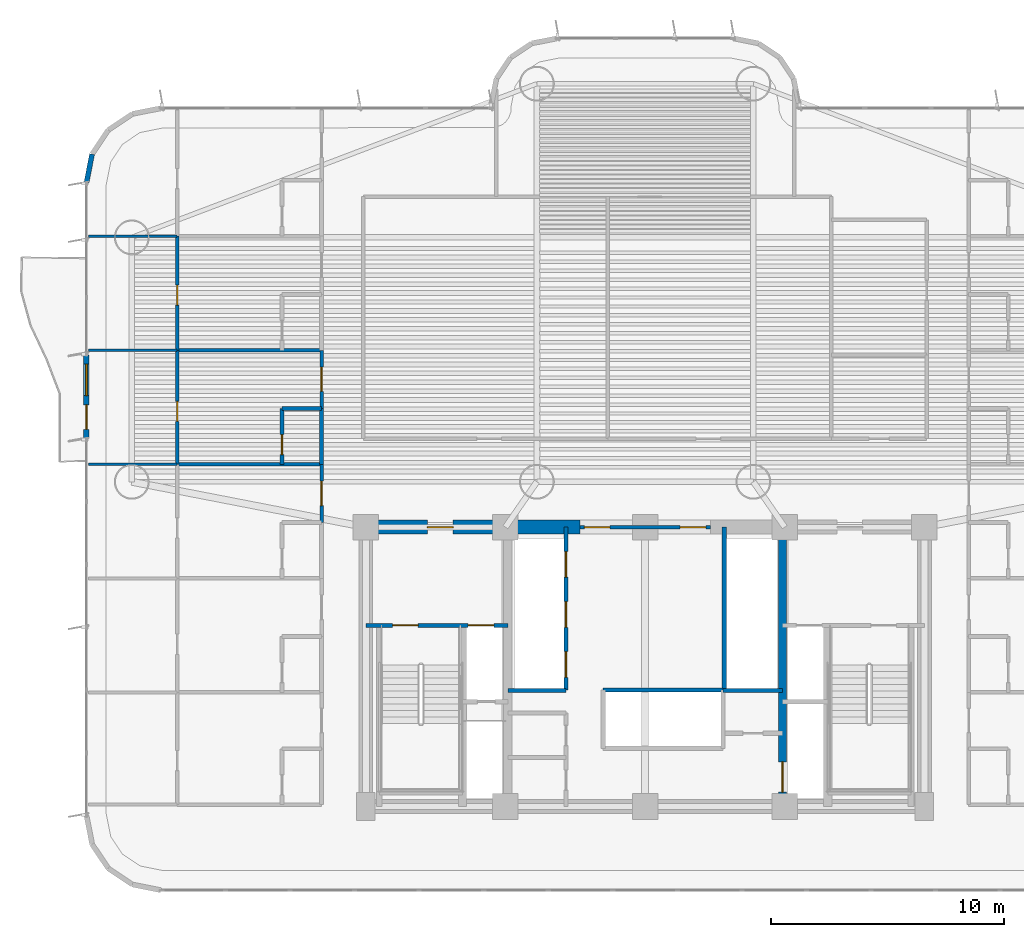
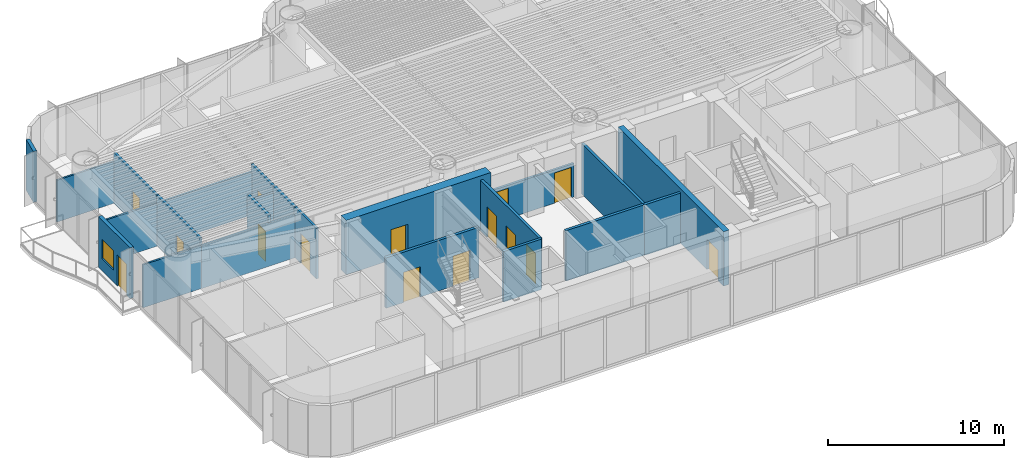
# One storey, part 11 of 19: 23 walls, 15 doors, 1 window, 16 openings.
"""IFC4 building model written with IfcOpenShell, lengths in metres."""

import ifcopenshell
import ifcopenshell.guid

model = None  # the IFC model being written
_history = None  # IfcOwnerHistory: only IFC2X3 demands one
_inside = {}  # id of a spatial element -> (the spatial element, [elements in it])
_under = {}  # id of a project, library or spatial element -> (it, [spatial elements below it])
_declared = {}  # id of a project -> (the project, [libraries it declares])
_typed = {}  # id of a type object -> (the type object, [elements of that type])
_made_of = {}  # id of a material, layer set ... -> (it, [elements and type objects made of it])


def new_model(schema):
    """Start an empty IFC model of exactly this schema.

    Asked for "IFC4X3", IfcOpenShell would pick the latest addendum, in which some entities
    have other attributes; the version numbers below select the first issue.
    IFC2X3 requires an IfcOwnerHistory on every rooted entity: one is made here for all.
    """
    global model, _history
    if schema == "IFC4X3":
        model = ifcopenshell.file(schema_version=(4, 3, 0, 0))
    else:
        model = ifcopenshell.file(schema=schema)
    _inside.clear()
    _under.clear()
    _declared.clear()
    _typed.clear()
    _made_of.clear()
    _history = None
    if model.schema == "IFC2X3":
        org = make("IfcOrganization", Name="unknown")
        user = make(
            "IfcPersonAndOrganization",
            ThePerson=make("IfcPerson", FamilyName="unknown"),
            TheOrganization=org,
        )
        app = make(
            "IfcApplication",
            ApplicationDeveloper=org,
            Version="unknown",
            ApplicationFullName="unknown",
            ApplicationIdentifier="unknown",
        )
        _history = make(
            "IfcOwnerHistory",
            OwningUser=user,
            OwningApplication=app,
            ChangeAction="ADDED",
            CreationDate=0,
        )
    return model


def make(cls, **values):
    """One entity of the class cls with the attributes given. An attribute that is None is left unset."""
    return model.create_entity(
        cls, **{name: value for name, value in values.items() if value is not None}
    )


def rooted(cls, **values):
    """An entity with a GlobalId (a new one), such as an element, a storey or a relation."""
    return make(cls, GlobalId=ifcopenshell.guid.new(), OwnerHistory=_history, **values)


def si_unit(unit_type, name, prefix=None):
    """IfcSIUnit, for example si_unit("LENGTHUNIT", "METRE", prefix="MILLI")."""
    return make("IfcSIUnit", UnitType=unit_type, Prefix=prefix, Name=name)


def assignment(units):
    """IfcUnitAssignment: the units of a project."""
    return None if units is None else make("IfcUnitAssignment", Units=units)


def point(xyz):
    """IfcCartesianPoint."""
    return None if xyz is None else make("IfcCartesianPoint", Coordinates=xyz)


def direction(xyz):
    """IfcDirection."""
    return None if xyz is None else make("IfcDirection", DirectionRatios=xyz)


def frame(location, z_axis=None, x_axis=None):
    """IfcAxis2Placement3D, a coordinate frame: its origin and axes. An axis left out is left unset."""
    return make(
        "IfcAxis2Placement3D",
        Location=point(location),
        Axis=direction(z_axis),
        RefDirection=direction(x_axis),
    )


def frame_2d(location, x_axis=None):
    """IfcAxis2Placement2D, a coordinate frame in the plane: its origin and x axis."""
    return make(
        "IfcAxis2Placement2D", Location=point(location), RefDirection=direction(x_axis)
    )


def origin():
    """The frame at (0, 0, 0) with its axes left unset."""
    return frame((0.0, 0.0, 0.0))


def origin_2d():
    """The frame at (0, 0) in the plane with its x axis left unset."""
    return frame_2d((0.0, 0.0))


def place(relative_to, where):
    """IfcLocalPlacement: puts the frame where relative to a parent placement (None: the world)."""
    return make(
        "IfcLocalPlacement", PlacementRelTo=relative_to, RelativePlacement=where
    )


def context(
    kind, dimensions, precision=None, world=None, true_north=None, identifier=None
):
    """IfcGeometricRepresentationContext, for example the 3D "Model" context."""
    return make(
        "IfcGeometricRepresentationContext",
        ContextIdentifier=identifier,
        ContextType=kind,
        CoordinateSpaceDimension=dimensions,
        Precision=precision,
        WorldCoordinateSystem=world,
        TrueNorth=true_north,
    )


def subcontext(parent, identifier, kind, view, scale=None):
    """IfcGeometricRepresentationSubContext, for example "Body" below "Model"."""
    return make(
        "IfcGeometricRepresentationSubContext",
        ContextIdentifier=identifier,
        ContextType=kind,
        ParentContext=parent,
        TargetScale=scale,
        TargetView=view,
    )


def project(units=None, contexts=None):
    """IfcProject with its units and contexts."""
    return rooted(
        "IfcProject",
        Name="project",
        RepresentationContexts=contexts,
        UnitsInContext=assignment(units),
    )


def spatial(cls, under=None, at=None, **own):
    """A site, building, storey or space (cls), placed at a placement, below another one or the project."""
    s = rooted(cls, ObjectPlacement=at, **own)
    if under is not None:
        _under.setdefault(under.id(), (under, []))[1].append(s)
    return s


def profile(cls, at=None, kind="AREA", **sizes):
    """A parametric profile (cls). Its sizes go by their IFC names, for example OverallWidth=200.0."""
    return make(cls, ProfileType=kind, Position=at, **sizes)


def rectangle(**sizes):
    """IfcRectangleProfileDef."""
    return profile("IfcRectangleProfileDef", **sizes)


def extrude(swept, where, along, depth):
    """IfcExtrudedAreaSolid: the profile swept, set in the frame where, extruded along a direction by depth."""
    return make(
        "IfcExtrudedAreaSolid",
        SweptArea=swept,
        Position=where,
        ExtrudedDirection=direction(along),
        Depth=depth,
    )


def shape(context_of_items, identifier, shape_type, items):
    """IfcShapeRepresentation: the items that make up one representation, for example the "Body"."""
    return make(
        "IfcShapeRepresentation",
        ContextOfItems=context_of_items,
        RepresentationIdentifier=identifier,
        RepresentationType=shape_type,
        Items=items,
    )


def source(mapping_origin, context_of_items, identifier, shape_type, items):
    """IfcRepresentationMap: a shape defined once, which mapped items show again and again."""
    return make(
        "IfcRepresentationMap",
        MappingOrigin=mapping_origin,
        MappedRepresentation=shape(context_of_items, identifier, shape_type, items),
    )


def transform(
    local_origin,
    x_axis=None,
    y_axis=None,
    z_axis=None,
    scale=None,
    scale2=None,
    scale3=None,
    uniform=True,
):
    """IfcCartesianTransformationOperator3D, or its non-uniform kind. x_axis, y_axis, z_axis: its Axis1, 2, 3."""
    if uniform:
        return make(
            "IfcCartesianTransformationOperator3D",
            Axis1=direction(x_axis),
            Axis2=direction(y_axis),
            LocalOrigin=point(local_origin),
            Scale=scale,
            Axis3=direction(z_axis),
        )
    return make(
        "IfcCartesianTransformationOperator3DnonUniform",
        Axis1=direction(x_axis),
        Axis2=direction(y_axis),
        LocalOrigin=point(local_origin),
        Scale=scale,
        Axis3=direction(z_axis),
        Scale2=scale2,
        Scale3=scale3,
    )


def mapped(mapping_source, mapping_target):
    """IfcMappedItem: shows the shape of a source again, moved by a transform."""
    return make(
        "IfcMappedItem", MappingSource=mapping_source, MappingTarget=mapping_target
    )


def material(Name=None, Category=None):
    """IfcMaterial."""
    return make("IfcMaterial", Name=Name, Category=Category)


def layer(
    of_material, thickness, ventilated=None, Name=None, Category=None, Priority=None
):
    """IfcMaterialLayer: one layer of a wall or slab, of a material (None: an air gap)."""
    return make(
        "IfcMaterialLayer",
        Material=of_material,
        LayerThickness=thickness,
        IsVentilated=ventilated,
        Name=Name,
        Category=Category,
        Priority=Priority,
    )


def layer_set(layers, Name=None):
    """IfcMaterialLayerSet."""
    return make("IfcMaterialLayerSet", MaterialLayers=layers, LayerSetName=Name)


def made_of(thing, what):
    """Note that an element or type object is made of a material, layer set ...; save() writes the relation."""
    if what is not None:
        _made_of.setdefault(what.id(), (what, []))[1].append(thing)
    return thing


def type_object(cls, material=None, **own):
    """A type object (cls), such as IfcWallType, which elements share."""
    return made_of(rooted(cls, **own), material)


def element(
    cls,
    number,
    at=None,
    inside=None,
    cuts=None,
    type_object=None,
    material=None,
    context=None,
    identifier="Body",
    shape_type=None,
    held_by="IfcProductDefinitionShape",
    body=None,
    shapes=None,
    **own,
):
    """One element of the class cls, such as IfcWall. Its Tag is "e" and its number.

    at: its placement. inside: the storey or other place that contains it. cuts: it is an
    opening in that element (IfcRelVoidsElement). A single representation is given by context,
    identifier, shape_type and body (its items); several are given by shapes. held_by: the class
    of the entity that holds the representations. save() writes the other relations.
    """
    e = rooted(cls, Tag="e%d" % number, ObjectPlacement=at, **own)
    if body is not None:
        shapes = [shape(context, identifier, shape_type, body)]
    if shapes is not None:
        e.Representation = make(held_by, Representations=shapes)
    if inside is not None:
        _inside.setdefault(inside.id(), (inside, []))[1].append(e)
    if cuts is not None:
        rooted(
            "IfcRelVoidsElement", RelatingBuildingElement=cuts, RelatedOpeningElement=e
        )
    if type_object is not None:
        _typed.setdefault(type_object.id(), (type_object, []))[1].append(e)
    return made_of(e, material)


def fill(opening, filler):
    """IfcRelFillsElement: the door or window that sits in an opening."""
    return rooted(
        "IfcRelFillsElement",
        RelatingOpeningElement=opening,
        RelatedBuildingElement=filler,
    )


def aggregate(whole, parts):
    """IfcRelAggregates: a whole, such as a stair, and the parts it consists of."""
    return rooted("IfcRelAggregates", RelatingObject=whole, RelatedObjects=parts)


def save(model, path):
    """Write the relations noted so far, then the file.

    IfcRelAggregates (storeys below a building ...), IfcRelContainedInSpatialStructure (elements
    in a storey), IfcRelDefinesByType, IfcRelAssociatesMaterial and IfcRelDeclares: one each for
    every whole, place, type object, material and project.
    """
    for whole, parts in _under.values():
        aggregate(whole, parts)
    for where, things in _inside.values():
        rooted(
            "IfcRelContainedInSpatialStructure",
            RelatedElements=things,
            RelatingStructure=where,
        )
    for kind, things in _typed.values():
        rooted("IfcRelDefinesByType", RelatedObjects=things, RelatingType=kind)
    for what, things in _made_of.values():
        rooted("IfcRelAssociatesMaterial", RelatedObjects=things, RelatingMaterial=what)
    for by, libraries in _declared.values():
        rooted("IfcRelDeclares", RelatingContext=by, RelatedDefinitions=libraries)
    model.write(path)


model = new_model("IFC4")

# Units and contexts
model_context = context("Model", 3, precision=1e-05, world=origin(), true_north=direction((0.0, 1.0)))
body_context = subcontext(model_context, "Body", "Model", "MODEL_VIEW")
ifc_project = project(units=[si_unit("LENGTHUNIT", "METRE"), si_unit("AREAUNIT", "SQUARE_METRE"), si_unit("VOLUMEUNIT", "CUBIC_METRE"), si_unit("PLANEANGLEUNIT", "RADIAN"), si_unit("MASSUNIT", "GRAM", prefix="KILO")], contexts=[model_context])

# Site, building, storey
site_placement = place(None, origin())
site = spatial("IfcSite", under=ifc_project, at=site_placement, CompositionType="ELEMENT")
building_placement = place(site_placement, origin())
building = spatial("IfcBuilding", under=site, at=building_placement, Name="Brelvock Crest Care Tower", CompositionType="ELEMENT")
storey_placement = place(building_placement, frame((0.0, 0.0, 64.800048828125)))
storey = spatial("IfcBuildingStorey", under=building, at=storey_placement, Name="L16", CompositionType="ELEMENT", Elevation=64.800048828125)

# Wall, opening, door
ifc_material_1 = material(Name="Concrete S80 (80 MPa)", Category="concrete")
ifc_layer_1 = layer(ifc_material_1, 0.60009765625, Name="WL-CS1")
ifc_layer_set_1 = layer_set([ifc_layer_1], Name="Concrete S80 (80 MPa)")
wall_type_1 = type_object("IfcWallType", Name="WL-CS1", PredefinedType="SHEAR", material=ifc_layer_set_1)
wall_1_placement = place(storey_placement, frame((23.699951171875, 18.0, 0.0), z_axis=(0.0, 0.0, 1.0), x_axis=(1.0, 0.0, 0.0)))
wall_1 = element("IfcWall", 1, at=wall_1_placement, inside=storey, type_object=wall_type_1, Name="L16 Core North-West Shear Wall", PredefinedType="SHEAR", context=body_context, shape_type="SweptSolid", body=[
    extrude(rectangle(XDim=9.5, YDim=0.60009765625, at=frame_2d((4.75, 0.0))), origin(), (0.0, 0.0, 1.0), 3.780029296875),
])
opening_1_placement = place(wall_1_placement, frame((2.949951171875, 0.0, 0.0)))
opening_1 = element("IfcOpeningElement", 2, at=opening_1_placement, cuts=wall_1, Name="Opening FD-1", PredefinedType="OPENING", context=body_context, shape_type="SweptSolid", body=[
    extrude(rectangle(XDim=1.10009765625, YDim=2.10009765625, at=origin_2d()), frame((0.550048828125, 0.31005859375, 1.050048828125), z_axis=(0.0, -1.0, 0.0), x_axis=(1.0, 0.0, 0.0)), (0.0, 0.0, 1.0), 0.6201171875),
])
ifc_material_2 = material(Name="Steel Grade 350", Category="steel")
door_type_1 = type_object("IfcDoorType", Name="DR-FFL1", OperationType="NOTDEFINED", PredefinedType="DOOR", material=ifc_material_2)
shared_shape_1 = source(origin(), body_context, "Body", "SweptSolid", [
    extrude(rectangle(XDim=1.10009765625, YDim=2.10009765625, at=origin_2d()), frame((0.550048828125, 0.02490234375, 1.050048828125), z_axis=(0.0, -1.0, 0.0), x_axis=(1.0, 0.0, 0.0)), (0.0, 0.0, 1.0), 0.050048828125),
])
door_1_placement = place(opening_1_placement, origin())
door_1 = element("IfcDoor", 3, at=door_1_placement, inside=storey, type_object=door_type_1, Name="L16 Firefighting Lobby FFL-1 Exit Door", OperationType="SINGLE_SWING_LEFT", OverallHeight=2.10009765625, OverallWidth=1.10009765625, PredefinedType="DOOR", context=body_context, shape_type="MappedRepresentation", body=[
    mapped(shared_shape_1, transform((0.0, 0.0, 0.0), x_axis=(1.0, 0.0, 0.0), y_axis=(0.0, 1.0, 0.0), z_axis=(0.0, 0.0, 1.0), scale=1.0)),
])
fill(opening_1, door_1)

ifc_layer_2 = layer(ifc_material_1, 0.35009765625, Name="WL-CS5")
ifc_layer_set_2 = layer_set([ifc_layer_2], Name="Concrete S80 (80 MPa)")
wall_type_2 = type_object("IfcWallType", Name="WL-CS5", PredefinedType="SHEAR", material=ifc_layer_set_2)
wall_2_placement = place(storey_placement, frame((41.89990234375, 18.0, 0.0), z_axis=(0.0, 0.0, 1.0), x_axis=(0.0, -1.0, 0.0)))
wall_2 = element("IfcWall", 4, at=wall_2_placement, inside=storey, type_object=wall_type_2, Name="L16 Core Internal Web Wall East", PredefinedType="SHEAR", context=body_context, shape_type="SweptSolid", body=[
    extrude(rectangle(XDim=12.0, YDim=0.35009765625, at=frame_2d((6.0, 0.0))), origin(), (0.0, 0.0, 1.0), 3.780029296875),
])
opening_2_placement = place(wall_2_placement, frame((10.080078125, 0.0, 0.0)))
opening_2 = element("IfcOpeningElement", 5, at=opening_2_placement, cuts=wall_2, Name="Opening LD-S", PredefinedType="OPENING", context=body_context, shape_type="SweptSolid", body=[
    extrude(rectangle(XDim=1.300048828125, YDim=2.10009765625, at=origin_2d()), frame((0.64990234375, 0.18505859375, 1.050048828125), z_axis=(0.0, -1.0, 0.0), x_axis=(1.0, 0.0, 0.0)), (0.0, 0.0, 1.0), 0.3701171875),
])
door_type_2 = type_object("IfcDoorType", Name="DR-LDS1", OperationType="NOTDEFINED", PredefinedType="DOOR", material=ifc_material_2)
shared_shape_2 = source(origin(), body_context, "Body", "SweptSolid", [
    extrude(rectangle(XDim=1.300048828125, YDim=2.10009765625, at=origin_2d()), frame((0.64990234375, 0.02490234375, 1.050048828125), z_axis=(0.0, -1.0, 0.0), x_axis=(1.0, 0.0, 0.0)), (0.0, 0.0, 1.0), 0.050048828125),
])
door_2_placement = place(opening_2_placement, origin())
door_2 = element("IfcDoor", 6, at=door_2_placement, inside=storey, type_object=door_type_2, Name="L16 Clinical Bed Lift SL-1 Landing Door", OperationType="SLIDING_TO_LEFT", OverallHeight=2.10009765625, OverallWidth=1.300048828125, PredefinedType="DOOR", context=body_context, shape_type="MappedRepresentation", body=[
    mapped(shared_shape_2, transform((0.0, 0.0, 0.0), x_axis=(1.0, 0.0, 0.0), y_axis=(0.0, 1.0, 0.0), z_axis=(0.0, 0.0, 1.0), scale=1.0)),
])
fill(opening_2, door_2)

# Wall, openings, door, window
ifc_material_3 = material(Name="Precast concrete N40 (40 MPa)", Category="concrete")
ifc_layer_3 = layer(ifc_material_3, 0.239990234375, Name="WL-EX1")
ifc_layer_set_3 = layer_set([ifc_layer_3], Name="Precast concrete N40 (40 MPa)")
wall_type_3 = type_object("IfcWallType", Name="WL-EX1", PredefinedType="SOLIDWALL", material=ifc_layer_set_3)
wall_3_placement = place(storey_placement, frame((12.0, 21.800048828125, 0.0), z_axis=(0.0, 0.0, 1.0), x_axis=(0.0, 1.0, 0.0)))
wall_3 = element("IfcWall", 7, at=wall_3_placement, inside=storey, type_object=wall_type_3, Name="L16 Exterior Spandrel Wall WL-BAL-L16-W", PredefinedType="SOLIDWALL", context=body_context, shape_type="SweptSolid", body=[
    extrude(rectangle(XDim=3.599853515625, YDim=0.239990234375, at=frame_2d((1.7998046875, 0.0))), origin(), (0.0, 0.0, 1.0), 3.530029296875),
])
opening_3_placement = place(wall_3_placement, frame((0.39990234375, 0.0, 0.0)))
opening_3 = element("IfcOpeningElement", 8, at=opening_3_placement, cuts=wall_3, Name="Opening BD-1", PredefinedType="OPENING", context=body_context, shape_type="SweptSolid", body=[
    extrude(rectangle(XDim=1.050048828125, YDim=2.14990234375, at=origin_2d()), frame((0.52490234375, 0.1298828125, 1.074951171875), z_axis=(0.0, -1.0, 0.0), x_axis=(1.0, 0.0, 0.0)), (0.0, 0.0, 1.0), 0.260009765625),
])
opening_4_placement = place(wall_3_placement, frame((1.85009765625, 0.0, 0.85009765625)))
opening_4 = element("IfcOpeningElement", 9, at=opening_4_placement, cuts=wall_3, Name="Opening W-01", PredefinedType="OPENING", context=body_context, shape_type="SweptSolid", body=[
    extrude(rectangle(XDim=1.35009765625, YDim=1.35009765625, at=origin_2d()), frame((0.675048828125, 0.1298828125, 0.675048828125), z_axis=(0.0, -1.0, 0.0), x_axis=(1.0, 0.0, 0.0)), (0.0, 0.0, 1.0), 0.260009765625),
])
ifc_material_4 = material(Name="Dark Glass Double Glazed Low-E", Category="glass")
door_type_3 = type_object("IfcDoorType", Name="DR-BAL1", OperationType="NOTDEFINED", PredefinedType="DOOR", material=ifc_material_4)
shared_shape_3 = source(origin(), body_context, "Body", "SweptSolid", [
    extrude(rectangle(XDim=1.050048828125, YDim=2.14990234375, at=origin_2d()), frame((0.52490234375, 0.02490234375, 1.074951171875), z_axis=(0.0, -1.0, 0.0), x_axis=(1.0, 0.0, 0.0)), (0.0, 0.0, 1.0), 0.050048828125),
])
door_3_placement = place(opening_3_placement, origin())
door_3 = element("IfcDoor", 10, at=door_3_placement, inside=storey, type_object=door_type_3, Name="L16 W Wave Balcony Glazed Door", OperationType="SINGLE_SWING_LEFT", OverallHeight=2.14990234375, OverallWidth=1.050048828125, PredefinedType="DOOR", context=body_context, shape_type="MappedRepresentation", body=[
    mapped(shared_shape_3, transform((0.0, 0.0, 0.0), x_axis=(1.0, 0.0, 0.0), y_axis=(0.0, 1.0, 0.0), z_axis=(0.0, 0.0, 1.0), scale=1.0)),
])
fill(opening_3, door_3)
window_type = type_object("IfcWindowType", Name="WN-EX1", PartitioningType="SINGLE_PANEL", PredefinedType="WINDOW", material=ifc_material_4)
shared_shape_4 = source(origin(), body_context, "Body", "SweptSolid", [
    extrude(rectangle(XDim=1.35009765625, YDim=1.35009765625, at=origin_2d()), frame((0.675048828125, 0.030029296875, 0.675048828125), z_axis=(0.0, -1.0, 0.0), x_axis=(1.0, 0.0, 0.0)), (0.0, 0.0, 1.0), 0.06005859375),
])
window_placement = place(opening_4_placement, origin())
window = element("IfcWindow", 11, at=window_placement, inside=storey, type_object=window_type, Name="L16 W Suite Casement Window", OverallHeight=1.35009765625, OverallWidth=1.35009765625, PartitioningType="SINGLE_PANEL", PredefinedType="WINDOW", context=body_context, shape_type="MappedRepresentation", body=[
    mapped(shared_shape_4, transform((0.0, 0.0, 0.0), x_axis=(1.0, 0.0, 0.0), y_axis=(0.0, 1.0, 0.0), z_axis=(0.0, 0.0, 1.0), scale=1.0)),
])
fill(opening_4, window)

# Wall
ifc_layer_4 = layer(ifc_material_3, 0.215087890625, Name="WL-EX2")
ifc_layer_set_4 = layer_set([ifc_layer_4], Name="Precast concrete N40 (40 MPa)")
wall_type_4 = type_object("IfcWallType", Name="WL-EX2", PredefinedType="SOLIDWALL", material=ifc_layer_set_4)
wall_4_placement = place(storey_placement, frame((12.0, 32.800048828125, 0.0), z_axis=(0.0, 0.0, 1.0), x_axis=(0.195138390419, 0.980775717779, 0.0)))
element("IfcWall", 12, at=wall_4_placement, inside=storey, type_object=wall_type_4, Name="L16 Rounded Corner Wall 14", PredefinedType="SOLIDWALL", context=body_context, shape_type="SweptSolid", body=[
    extrude(rectangle(XDim=1.24853515625, YDim=0.215087890625, at=frame_2d((0.624267578125, 0.0))), origin(), (0.0, 0.0, 1.0), 3.530029296875),
])

# Wall, openings, doors
ifc_material_5 = material(Name="Masonry Blockwork Acoustic Partition", Category="masonry")
ifc_layer_5 = layer(ifc_material_5, 0.14990234375, Name="WL-INT1")
ifc_layer_set_5 = layer_set([ifc_layer_5], Name="Masonry Blockwork Acoustic Partition")
wall_type_5 = type_object("IfcWallType", Name="WL-INT1", PredefinedType="PARTITIONING", material=ifc_layer_set_5)
wall_5_placement = place(storey_placement, frame((33.199951171875, 18.0, 0.0), z_axis=(0.0, 0.0, 1.0), x_axis=(1.0, 0.0, 0.0)))
wall_5 = element("IfcWall", 13, at=wall_5_placement, inside=storey, type_object=wall_type_5, Name="L16 Interior Wall WL-CORE-NPORT-L16", PredefinedType="PARTITIONING", context=body_context, shape_type="SweptSolid", body=[
    extrude(rectangle(XDim=5.60009765625, YDim=0.14990234375, at=frame_2d((2.800048828125, 0.0))), origin(), (0.0, 0.0, 1.0), 2.31494140625),
])
opening_5_placement = place(wall_5_placement, frame((0.18994140625, 0.0, 0.0)))
opening_5 = element("IfcOpeningElement", 14, at=opening_5_placement, cuts=wall_5, Name="Opening FD-1", PredefinedType="OPENING", context=body_context, shape_type="SweptSolid", body=[
    extrude(rectangle(XDim=1.10009765625, YDim=2.10009765625, at=origin_2d()), frame((0.550048828125, 0.0849609375, 1.050048828125), z_axis=(0.0, -1.0, 0.0), x_axis=(1.0, 0.0, 0.0)), (0.0, 0.0, 1.0), 0.169921875),
])
opening_6_placement = place(wall_5_placement, frame((4.31005859375, 0.0, 0.0)))
opening_6 = element("IfcOpeningElement", 15, at=opening_6_placement, cuts=wall_5, Name="Opening FD-1", PredefinedType="OPENING", context=body_context, shape_type="SweptSolid", body=[
    extrude(rectangle(XDim=1.10009765625, YDim=2.10009765625, at=origin_2d()), frame((0.550048828125, 0.0849609375, 1.050048828125), z_axis=(0.0, -1.0, 0.0), x_axis=(1.0, 0.0, 0.0)), (0.0, 0.0, 1.0), 0.169921875),
])
door_4_placement = place(opening_5_placement, origin())
door_4 = element("IfcDoor", 16, at=door_4_placement, inside=storey, type_object=door_type_1, Name="L16 Lift Lobby North Smoke Door West", OperationType="SINGLE_SWING_LEFT", OverallHeight=2.10009765625, OverallWidth=1.10009765625, PredefinedType="DOOR", context=body_context, shape_type="MappedRepresentation", body=[
    mapped(shared_shape_1, transform((0.0, 0.0, 0.0), x_axis=(1.0, 0.0, 0.0), y_axis=(0.0, 1.0, 0.0), z_axis=(0.0, 0.0, 1.0), scale=1.0)),
])
fill(opening_5, door_4)
door_5_placement = place(opening_6_placement, origin())
door_5 = element("IfcDoor", 17, at=door_5_placement, inside=storey, type_object=door_type_1, Name="L16 Lift Lobby North Smoke Door East", OperationType="SINGLE_SWING_RIGHT", OverallHeight=2.10009765625, OverallWidth=1.10009765625, PredefinedType="DOOR", context=body_context, shape_type="MappedRepresentation", body=[
    mapped(shared_shape_1, transform((0.0, 0.0, 0.0), x_axis=(1.0, 0.0, 0.0), y_axis=(0.0, 1.0, 0.0), z_axis=(0.0, 0.0, 1.0), scale=1.0)),
])
fill(opening_6, door_5)

# Walls
for number, where, z_axis, x_axis, name in (
    (18, (15.89990234375, 20.699951171875, 0.0), (0.0, 0.0, 1.0), (1.0, 0.0, 0.0), "L16 Interior Wall WL-BX-L16-CS-WC3-N"),
    (19, (15.89990234375, 25.60009765625, 0.0), (0.0, 0.0, 1.0), (1.0, 0.0, 0.0), "L16 Interior Wall WL-BX-L16-CS-WC4-N"),
):
    element("IfcWall", number, at=place(storey_placement, frame(where, z_axis=z_axis, x_axis=x_axis)), inside=storey, type_object=wall_type_5, Name=name, PredefinedType="PARTITIONING", context=body_context, shape_type="SweptSolid", body=[
        extrude(rectangle(XDim=6.2001953125, YDim=0.14990234375, at=frame_2d((3.10009765625, 0.0))), origin(), (0.0, 0.0, 1.0), 2.98193359375),
    ])

# Wall, opening, door
wall_6_placement = place(storey_placement, frame((15.89990234375, 20.699951171875, 0.0), z_axis=(0.0, 0.0, 1.0), x_axis=(0.0, 1.0, 0.0)))
wall_6 = element("IfcWall", 20, at=wall_6_placement, inside=storey, type_object=wall_type_5, Name="L16 Interior Wall WL-RM-L16-WC4S", PredefinedType="PARTITIONING", context=body_context, shape_type="SweptSolid", body=[
    extrude(rectangle(XDim=4.900146484375, YDim=0.14990234375, at=frame_2d((2.4501953125, 0.0))), origin(), (0.0, 0.0, 1.0), 3.5),
])
opening_7_placement = place(wall_6_placement, frame((1.840087890625, 0.0, 0.0)))
opening_7 = element("IfcOpeningElement", 21, at=opening_7_placement, cuts=wall_6, Name="Opening ID-1", PredefinedType="OPENING", context=body_context, shape_type="SweptSolid", body=[
    extrude(rectangle(XDim=0.860107421875, YDim=2.10009765625, at=origin_2d()), frame((0.43017578125, 0.0849609375, 1.050048828125), z_axis=(0.0, -1.0, 0.0), x_axis=(1.0, 0.0, 0.0)), (0.0, 0.0, 1.0), 0.169921875),
])
ifc_material_6 = material(Name="Engineered Hardwood Timber", Category="wood")
door_type_4 = type_object("IfcDoorType", Name="DR-INT1", OperationType="NOTDEFINED", PredefinedType="DOOR", material=ifc_material_6)
shared_shape_5 = source(origin(), body_context, "Body", "SweptSolid", [
    extrude(rectangle(XDim=0.860107421875, YDim=2.10009765625, at=origin_2d()), frame((0.43017578125, 0.02490234375, 1.050048828125), z_axis=(0.0, -1.0, 0.0), x_axis=(1.0, 0.0, 0.0)), (0.0, 0.0, 1.0), 0.050048828125),
])
door_6_placement = place(opening_7_placement, origin())
door_6 = element("IfcDoor", 22, at=door_6_placement, inside=storey, type_object=door_type_4, Name="L16 Skilled Nursing Mobility Store Door WC4S", OperationType="SINGLE_SWING_LEFT", OverallHeight=2.10009765625, OverallWidth=0.860107421875, PredefinedType="DOOR", context=body_context, shape_type="MappedRepresentation", body=[
    mapped(shared_shape_5, transform((0.0, 0.0, 0.0), x_axis=(1.0, 0.0, 0.0), y_axis=(0.0, 1.0, 0.0), z_axis=(0.0, 0.0, 1.0), scale=1.0)),
])
fill(opening_7, door_6)

wall_7_placement = place(storey_placement, frame((15.89990234375, 25.60009765625, 0.0), z_axis=(0.0, 0.0, 1.0), x_axis=(0.0, 1.0, 0.0)))
wall_7 = element("IfcWall", 23, at=wall_7_placement, inside=storey, type_object=wall_type_5, Name="L16 Interior Wall WL-RM-L16-WC5S", PredefinedType="PARTITIONING", context=body_context, shape_type="SweptSolid", body=[
    extrude(rectangle(XDim=4.89990234375, YDim=0.14990234375, at=frame_2d((2.449951171875, 0.0))), origin(), (0.0, 0.0, 1.0), 3.5),
])
opening_8_placement = place(wall_7_placement, frame((1.93994140625, 0.0, 0.0)))
opening_8 = element("IfcOpeningElement", 24, at=opening_8_placement, cuts=wall_7, Name="Opening ID-1", PredefinedType="OPENING", context=body_context, shape_type="SweptSolid", body=[
    extrude(rectangle(XDim=0.860107421875, YDim=2.10009765625, at=origin_2d()), frame((0.43017578125, 0.0849609375, 1.050048828125), z_axis=(0.0, -1.0, 0.0), x_axis=(1.0, 0.0, 0.0)), (0.0, 0.0, 1.0), 0.169921875),
])
door_7_placement = place(opening_8_placement, origin())
door_7 = element("IfcDoor", 25, at=door_7_placement, inside=storey, type_object=door_type_4, Name="L16 Skilled Nursing Mobility Store Door WC5S", OperationType="SINGLE_SWING_LEFT", OverallHeight=2.10009765625, OverallWidth=0.860107421875, PredefinedType="DOOR", context=body_context, shape_type="MappedRepresentation", body=[
    mapped(shared_shape_5, transform((0.0, 0.0, 0.0), x_axis=(1.0, 0.0, 0.0), y_axis=(0.0, 1.0, 0.0), z_axis=(0.0, 0.0, 1.0), scale=1.0)),
])
fill(opening_8, door_7)

wall_8_placement = place(storey_placement, frame((22.10009765625, 18.199951171875, 0.0), z_axis=(0.0, 0.0, 1.0), x_axis=(0.0, 1.0, 0.0)))
wall_8 = element("IfcWall", 26, at=wall_8_placement, inside=storey, type_object=wall_type_5, Name="L16 Interior Wall WL-CENT-L16-WC3", PredefinedType="PARTITIONING", context=body_context, shape_type="SweptSolid", body=[
    extrude(rectangle(XDim=2.5, YDim=0.14990234375, at=frame_2d((1.25, 0.0))), origin(), (0.0, 0.0, 1.0), 3.5),
])
opening_9_placement = place(wall_8_placement, frame((0.72998046875, 0.0, 0.0)))
opening_9 = element("IfcOpeningElement", 27, at=opening_9_placement, cuts=wall_8, Name="Opening CD-1", PredefinedType="OPENING", context=body_context, shape_type="SweptSolid", body=[
    extrude(rectangle(XDim=1.050048828125, YDim=2.10009765625, at=origin_2d()), frame((0.52490234375, 0.0849609375, 1.050048828125), z_axis=(0.0, -1.0, 0.0), x_axis=(1.0, 0.0, 0.0)), (0.0, 0.0, 1.0), 0.169921875),
])
door_type_5 = type_object("IfcDoorType", Name="DR-CARE1", OperationType="NOTDEFINED", PredefinedType="DOOR", material=ifc_material_6)
shared_shape_6 = source(origin(), body_context, "Body", "SweptSolid", [
    extrude(rectangle(XDim=1.050048828125, YDim=2.10009765625, at=origin_2d()), frame((0.52490234375, 0.02490234375, 1.050048828125), z_axis=(0.0, -1.0, 0.0), x_axis=(1.0, 0.0, 0.0)), (0.0, 0.0, 1.0), 0.050048828125),
])
door_8_placement = place(opening_9_placement, origin())
door_8 = element("IfcDoor", 28, at=door_8_placement, inside=storey, type_object=door_type_5, Name="L16 Care Suite Door WC3", OperationType="SINGLE_SWING_LEFT", OverallHeight=2.10009765625, OverallWidth=1.050048828125, PredefinedType="DOOR", context=body_context, shape_type="MappedRepresentation", body=[
    mapped(shared_shape_6, transform((0.0, 0.0, 0.0), x_axis=(1.0, 0.0, 0.0), y_axis=(0.0, 1.0, 0.0), z_axis=(0.0, 0.0, 1.0), scale=1.0)),
])
fill(opening_9, door_8)

wall_9_placement = place(storey_placement, frame((22.10009765625, 23.10009765625, 0.0), z_axis=(0.0, 0.0, 1.0), x_axis=(0.0, 1.0, 0.0)))
wall_9 = element("IfcWall", 29, at=wall_9_placement, inside=storey, type_object=wall_type_5, Name="L16 Interior Wall WL-CENT-L16-WC4", PredefinedType="PARTITIONING", context=body_context, shape_type="SweptSolid", body=[
    extrude(rectangle(XDim=2.5, YDim=0.14990234375, at=frame_2d((1.25, 0.0))), origin(), (0.0, 0.0, 1.0), 3.5),
])
opening_10_placement = place(wall_9_placement, frame((0.72998046875, 0.0, 0.0)))
opening_10 = element("IfcOpeningElement", 30, at=opening_10_placement, cuts=wall_9, Name="Opening CD-1", PredefinedType="OPENING", context=body_context, shape_type="SweptSolid", body=[
    extrude(rectangle(XDim=1.050048828125, YDim=2.10009765625, at=origin_2d()), frame((0.52490234375, 0.0849609375, 1.050048828125), z_axis=(0.0, -1.0, 0.0), x_axis=(1.0, 0.0, 0.0)), (0.0, 0.0, 1.0), 0.169921875),
])
door_9_placement = place(opening_10_placement, origin())
door_9 = element("IfcDoor", 31, at=door_9_placement, inside=storey, type_object=door_type_5, Name="L16 Care Suite Door WC4", OperationType="SINGLE_SWING_LEFT", OverallHeight=2.10009765625, OverallWidth=1.050048828125, PredefinedType="DOOR", context=body_context, shape_type="MappedRepresentation", body=[
    mapped(shared_shape_6, transform((0.0, 0.0, 0.0), x_axis=(1.0, 0.0, 0.0), y_axis=(0.0, 1.0, 0.0), z_axis=(0.0, 0.0, 1.0), scale=1.0)),
])
fill(opening_10, door_9)

# Walls
ifc_material_7 = material(Name="Gypsum Plasterboard Partition", Category="gypsum")
ifc_layer_6 = layer(ifc_material_7, 0.1201171875, Name="WL-INT2")
ifc_layer_set_6 = layer_set([ifc_layer_6], Name="Gypsum Plasterboard Partition")
wall_type_6 = type_object("IfcWallType", Name="WL-INT2", PredefinedType="PARTITIONING", material=ifc_layer_set_6)
for number, where, z_axis, x_axis, name in (
    (32, (12.080078125, 20.699951171875, 0.0), (0.0, 0.0, 1.0), (1.0, 0.0, 0.0), "L16 Interior Wall WL-BX-L16-WC3S-N"),
    (33, (12.080078125, 25.60009765625, 0.0), (0.0, 0.0, 1.0), (1.0, 0.0, 0.0), "L16 Interior Wall WL-BX-L16-WC4S-N"),
):
    element("IfcWall", number, at=place(storey_placement, frame(where, z_axis=z_axis, x_axis=x_axis)), inside=storey, type_object=wall_type_6, Name=name, PredefinedType="PARTITIONING", context=body_context, shape_type="SweptSolid", body=[
        extrude(rectangle(XDim=3.81982421875, YDim=0.1201171875, at=frame_2d((1.909912109375, 0.0))), origin(), (0.0, 0.0, 1.0), 2.98193359375),
    ])
wall_10_placement = place(storey_placement, frame((12.080078125, 30.5, 0.0), z_axis=(0.0, 0.0, 1.0), x_axis=(1.0, 0.0, 0.0)))
element("IfcWall", 34, at=wall_10_placement, inside=storey, type_object=wall_type_6, Name="L16 Interior Wall WL-BX-L16-WC5S-N", PredefinedType="PARTITIONING", context=body_context, shape_type="SweptSolid", body=[
    extrude(rectangle(XDim=3.81982421875, YDim=0.1201171875, at=frame_2d((1.909912109375, 0.0))), origin(), (0.0, 0.0, 1.0), 2.90283203125),
])
ifc_layer_7 = layer(ifc_material_7, 0.159912109375, Name="WL-PLM1")
ifc_layer_set_7 = layer_set([ifc_layer_7], Name="Gypsum Plasterboard Partition")
wall_type_7 = type_object("IfcWallType", Name="WL-PLM1", PredefinedType="PLUMBINGWALL", material=ifc_layer_set_7)
wall_11_placement = place(storey_placement, frame((20.39990234375, 23.10009765625, 0.0), z_axis=(0.0, 0.0, 1.0), x_axis=(1.0, 0.0, 0.0)))
element("IfcWall", 35, at=wall_11_placement, inside=storey, type_object=wall_type_7, Name="L16 Interior Wall WL-CENS2-L16-WC4", PredefinedType="PLUMBINGWALL", context=body_context, shape_type="SweptSolid", body=[
    extrude(rectangle(XDim=1.7001953125, YDim=0.159912109375, at=frame_2d((0.85009765625, 0.0))), origin(), (0.0, 0.0, 1.0), 3.054931640625),
])

# Wall, opening, door
wall_12_placement = place(storey_placement, frame((20.39990234375, 20.699951171875, 0.0), z_axis=(0.0, 0.0, 1.0), x_axis=(0.0, 1.0, 0.0)))
wall_12 = element("IfcWall", 36, at=wall_12_placement, inside=storey, type_object=wall_type_7, Name="L16 Interior Wall WL-CENS1-L16-WC4", PredefinedType="PLUMBINGWALL", context=body_context, shape_type="SweptSolid", body=[
    extrude(rectangle(XDim=2.400146484375, YDim=0.159912109375, at=frame_2d((1.2001953125, 0.0))), origin(), (0.0, 0.0, 1.0), 3.5),
])
opening_11_placement = place(wall_12_placement, frame((0.419921875, 0.0, 0.0)))
opening_11 = element("IfcOpeningElement", 37, at=opening_11_placement, cuts=wall_12, Name="Opening WD-1", PredefinedType="OPENING", context=body_context, shape_type="SweptSolid", body=[
    extrude(rectangle(XDim=0.860107421875, YDim=2.10009765625, at=origin_2d()), frame((0.43017578125, 0.08984375, 1.050048828125), z_axis=(0.0, -1.0, 0.0), x_axis=(1.0, 0.0, 0.0)), (0.0, 0.0, 1.0), 0.179931640625),
])
door_type_6 = type_object("IfcDoorType", Name="DR-WC1", OperationType="NOTDEFINED", PredefinedType="DOOR", material=ifc_material_6)
shared_shape_7 = source(origin(), body_context, "Body", "SweptSolid", [
    extrude(rectangle(XDim=0.860107421875, YDim=2.10009765625, at=origin_2d()), frame((0.43017578125, 0.02490234375, 1.050048828125), z_axis=(0.0, -1.0, 0.0), x_axis=(1.0, 0.0, 0.0)), (0.0, 0.0, 1.0), 0.050048828125),
])
door_10_placement = place(opening_11_placement, origin())
door_10 = element("IfcDoor", 38, at=door_10_placement, inside=storey, type_object=door_type_6, Name="L16 Care En-Suite Door WC4", OperationType="SINGLE_SWING_LEFT", OverallHeight=2.10009765625, OverallWidth=0.860107421875, PredefinedType="DOOR", context=body_context, shape_type="MappedRepresentation", body=[
    mapped(shared_shape_7, transform((0.0, 0.0, 0.0), x_axis=(1.0, 0.0, 0.0), y_axis=(0.0, 1.0, 0.0), z_axis=(0.0, 0.0, 1.0), scale=1.0)),
])
fill(opening_11, door_10)

# Walls
wall_13_placement = place(storey_placement, frame((22.10009765625, 20.699951171875, 0.0), z_axis=(0.0, 0.0, 1.0), x_axis=(0.0, 1.0, 0.0)))
element("IfcWall", 39, at=wall_13_placement, inside=storey, type_object=wall_type_7, Name="L16 Interior Wall WL-CENS0-L16-WC4", PredefinedType="PLUMBINGWALL", context=body_context, shape_type="SweptSolid", body=[
    extrude(rectangle(XDim=2.400146484375, YDim=0.159912109375, at=frame_2d((1.2001953125, 0.0))), origin(), (0.0, 0.0, 1.0), 3.5),
])
ifc_layer_8 = layer(ifc_material_5, 0.179931640625, Name="WL-SHF1")
ifc_layer_set_8 = layer_set([ifc_layer_8], Name="Masonry Blockwork Acoustic Partition")
wall_type_8 = type_object("IfcWallType", Name="WL-SHF1", PredefinedType="PARTITIONING", material=ifc_layer_set_8)
wall_14_placement = place(storey_placement, frame((34.199951171875, 11.0, 0.0), z_axis=(0.0, 0.0, 1.0), x_axis=(1.0, 0.0, 0.0)))
element("IfcWall", 40, at=wall_14_placement, inside=storey, type_object=wall_type_8, Name="L16 Interior Wall WL-PLM-SHF-L16", PredefinedType="PARTITIONING", context=body_context, shape_type="SweptSolid", body=[
    extrude(rectangle(XDim=5.150146484375, YDim=0.179931640625, at=frame_2d((2.5751953125, 0.0))), origin(), (0.0, 0.0, 1.0), 3.5),
])
wall_15_placement = place(storey_placement, frame((39.39990234375, 11.0, 0.0), z_axis=(0.0, 0.0, 1.0), x_axis=(0.0, 1.0, 0.0)))
element("IfcWall", 41, at=wall_15_placement, inside=storey, type_object=wall_type_8, Name="L16 Interior Wall WL-PLH-SHF-L16", PredefinedType="PARTITIONING", context=body_context, shape_type="SweptSolid", body=[
    extrude(rectangle(XDim=7.0, YDim=0.179931640625, at=frame_2d((3.5, 0.0))), origin(), (0.0, 0.0, 1.0), 3.5),
])
wall_16_placement = place(storey_placement, frame((30.10009765625, 10.97998046875, 0.0), z_axis=(0.0, 0.0, 1.0), x_axis=(1.0, 0.0, 0.0)))
element("IfcWall", 42, at=wall_16_placement, inside=storey, type_object=wall_type_8, Name="L16 Interior Wall WL-CSBW-N-L16", PredefinedType="PARTITIONING", context=body_context, shape_type="SweptSolid", body=[
    extrude(rectangle(XDim=2.5, YDim=0.179931640625, at=frame_2d((1.25, 0.0))), origin(), (0.0, 0.0, 1.0), 3.5),
])
wall_17_placement = place(storey_placement, frame((39.35009765625, 10.97998046875, 0.0), z_axis=(0.0, 0.0, 1.0), x_axis=(1.0, 0.0, 0.0)))
element("IfcWall", 43, at=wall_17_placement, inside=storey, type_object=wall_type_8, Name="L16 Interior Wall WL-CSBE-N-L16", PredefinedType="PARTITIONING", context=body_context, shape_type="SweptSolid", body=[
    extrude(rectangle(XDim=2.5498046875, YDim=0.179931640625, at=frame_2d((1.27490234375, 0.0))), origin(), (0.0, 0.0, 1.0), 3.5),
])

# Wall, openings, doors
wall_18_placement = place(storey_placement, frame((24.0, 13.780029296875, 0.0), z_axis=(0.0, 0.0, 1.0), x_axis=(1.0, 0.0, 0.0)))
wall_18 = element("IfcWall", 44, at=wall_18_placement, inside=storey, type_object=wall_type_8, Name="L16 Interior Wall WL-ST1-N-L16", PredefinedType="PARTITIONING", context=body_context, shape_type="SweptSolid", body=[
    extrude(rectangle(XDim=6.10009765625, YDim=0.179931640625, at=frame_2d((3.050048828125, 0.0))), origin(), (0.0, 0.0, 1.0), 3.5),
])
opening_12_placement = place(wall_18_placement, frame((1.14990234375, 0.0, 0.0)))
opening_12 = element("IfcOpeningElement", 45, at=opening_12_placement, cuts=wall_18, Name="Opening SD-1", PredefinedType="OPENING", context=body_context, shape_type="SweptSolid", body=[
    extrude(rectangle(XDim=1.10009765625, YDim=2.10009765625, at=origin_2d()), frame((0.550048828125, 0.10009765625, 1.050048828125), z_axis=(0.0, -1.0, 0.0), x_axis=(1.0, 0.0, 0.0)), (0.0, 0.0, 1.0), 0.199951171875),
])
opening_13_placement = place(wall_18_placement, frame((4.39990234375, 0.0, 0.0)))
opening_13 = element("IfcOpeningElement", 46, at=opening_13_placement, cuts=wall_18, Name="Opening LD", PredefinedType="OPENING", context=body_context, shape_type="SweptSolid", body=[
    extrude(rectangle(XDim=1.10009765625, YDim=2.10009765625, at=origin_2d()), frame((0.550048828125, 0.10009765625, 1.050048828125), z_axis=(0.0, -1.0, 0.0), x_axis=(1.0, 0.0, 0.0)), (0.0, 0.0, 1.0), 0.199951171875),
])
door_type_7 = type_object("IfcDoorType", Name="DR-ST1", OperationType="NOTDEFINED", PredefinedType="DOOR", material=ifc_material_2)
shared_shape_8 = source(origin(), body_context, "Body", "SweptSolid", [
    extrude(rectangle(XDim=1.10009765625, YDim=2.10009765625, at=origin_2d()), frame((0.550048828125, 0.02490234375, 1.050048828125), z_axis=(0.0, -1.0, 0.0), x_axis=(1.0, 0.0, 0.0)), (0.0, 0.0, 1.0), 0.050048828125),
])
door_11_placement = place(opening_12_placement, origin())
door_11 = element("IfcDoor", 47, at=door_11_placement, inside=storey, type_object=door_type_7, Name="L16 Fire Stair ST-1 Door", OperationType="SINGLE_SWING_LEFT", OverallHeight=2.10009765625, OverallWidth=1.10009765625, PredefinedType="DOOR", context=body_context, shape_type="MappedRepresentation", body=[
    mapped(shared_shape_8, transform((0.0, 0.0, 0.0), x_axis=(1.0, 0.0, 0.0), y_axis=(0.0, 1.0, 0.0), z_axis=(0.0, 0.0, 1.0), scale=1.0)),
])
fill(opening_12, door_11)
door_type_8 = type_object("IfcDoorType", Name="DR-LD1", OperationType="NOTDEFINED", PredefinedType="DOOR", material=ifc_material_2)
shared_shape_9 = source(origin(), body_context, "Body", "SweptSolid", [
    extrude(rectangle(XDim=1.10009765625, YDim=2.10009765625, at=origin_2d()), frame((0.550048828125, 0.02490234375, 1.050048828125), z_axis=(0.0, -1.0, 0.0), x_axis=(1.0, 0.0, 0.0)), (0.0, 0.0, 1.0), 0.050048828125),
])
door_12_placement = place(opening_13_placement, origin())
door_12 = element("IfcDoor", 48, at=door_12_placement, inside=storey, type_object=door_type_8, Name="L16 Firefighting Lift FFL-1 Landing Door", OperationType="SLIDING_TO_LEFT", OverallHeight=2.10009765625, OverallWidth=1.10009765625, PredefinedType="DOOR", context=body_context, shape_type="MappedRepresentation", body=[
    mapped(shared_shape_9, transform((0.0, 0.0, 0.0), x_axis=(1.0, 0.0, 0.0), y_axis=(0.0, 1.0, 0.0), z_axis=(0.0, 0.0, 1.0), scale=1.0)),
])
fill(opening_13, door_12)

wall_19_placement = place(storey_placement, frame((32.60009765625, 11.0, 0.0), z_axis=(0.0, 0.0, 1.0), x_axis=(0.0, 1.0, 0.0)))
wall_19 = element("IfcWall", 49, at=wall_19_placement, inside=storey, type_object=wall_type_8, Name="L16 Interior Wall WL-PLL-BANK-L16", PredefinedType="PARTITIONING", context=body_context, shape_type="SweptSolid", body=[
    extrude(rectangle(XDim=7.0, YDim=0.179931640625, at=frame_2d((3.5, 0.0))), origin(), (0.0, 0.0, 1.0), 3.5),
])
opening_14_placement = place(wall_19_placement, frame((0.550048828125, 0.0, 0.0)))
opening_14 = element("IfcOpeningElement", 50, at=opening_14_placement, cuts=wall_19, Name="Opening LD", PredefinedType="OPENING", context=body_context, shape_type="SweptSolid", body=[
    extrude(rectangle(XDim=1.10009765625, YDim=2.10009765625, at=origin_2d()), frame((0.550048828125, 0.10009765625, 1.050048828125), z_axis=(0.0, -1.0, 0.0), x_axis=(1.0, 0.0, 0.0)), (0.0, 0.0, 1.0), 0.199951171875),
])
opening_15_placement = place(wall_19_placement, frame((2.699951171875, 0.0, 0.0)))
opening_15 = element("IfcOpeningElement", 51, at=opening_15_placement, cuts=wall_19, Name="Opening LD", PredefinedType="OPENING", context=body_context, shape_type="SweptSolid", body=[
    extrude(rectangle(XDim=1.10009765625, YDim=2.10009765625, at=origin_2d()), frame((0.550048828125, 0.10009765625, 1.050048828125), z_axis=(0.0, -1.0, 0.0), x_axis=(1.0, 0.0, 0.0)), (0.0, 0.0, 1.0), 0.199951171875),
])
opening_16_placement = place(wall_19_placement, frame((4.85009765625, 0.0, 0.0)))
opening_16 = element("IfcOpeningElement", 52, at=opening_16_placement, cuts=wall_19, Name="Opening LD", PredefinedType="OPENING", context=body_context, shape_type="SweptSolid", body=[
    extrude(rectangle(XDim=1.10009765625, YDim=2.10009765625, at=origin_2d()), frame((0.550048828125, 0.10009765625, 1.050048828125), z_axis=(0.0, -1.0, 0.0), x_axis=(1.0, 0.0, 0.0)), (0.0, 0.0, 1.0), 0.199951171875),
])
door_13_placement = place(opening_14_placement, origin())
door_13 = element("IfcDoor", 53, at=door_13_placement, inside=storey, type_object=door_type_8, Name="L16 Lift PL-L1 Landing Door", OperationType="SLIDING_TO_LEFT", OverallHeight=2.10009765625, OverallWidth=1.10009765625, PredefinedType="DOOR", context=body_context, shape_type="MappedRepresentation", body=[
    mapped(shared_shape_9, transform((0.0, 0.0, 0.0), x_axis=(1.0, 0.0, 0.0), y_axis=(0.0, 1.0, 0.0), z_axis=(0.0, 0.0, 1.0), scale=1.0)),
])
fill(opening_14, door_13)
door_14_placement = place(opening_15_placement, origin())
door_14 = element("IfcDoor", 54, at=door_14_placement, inside=storey, type_object=door_type_8, Name="L16 Lift PL-L2 Landing Door", OperationType="SLIDING_TO_LEFT", OverallHeight=2.10009765625, OverallWidth=1.10009765625, PredefinedType="DOOR", context=body_context, shape_type="MappedRepresentation", body=[
    mapped(shared_shape_9, transform((0.0, 0.0, 0.0), x_axis=(1.0, 0.0, 0.0), y_axis=(0.0, 1.0, 0.0), z_axis=(0.0, 0.0, 1.0), scale=1.0)),
])
fill(opening_15, door_14)
door_15_placement = place(opening_16_placement, origin())
door_15 = element("IfcDoor", 55, at=door_15_placement, inside=storey, type_object=door_type_8, Name="L16 Lift PL-L3 Landing Door", OperationType="SLIDING_TO_LEFT", OverallHeight=2.10009765625, OverallWidth=1.10009765625, PredefinedType="DOOR", context=body_context, shape_type="MappedRepresentation", body=[
    mapped(shared_shape_9, transform((0.0, 0.0, 0.0), x_axis=(1.0, 0.0, 0.0), y_axis=(0.0, 1.0, 0.0), z_axis=(0.0, 0.0, 1.0), scale=1.0)),
])
fill(opening_16, door_15)

save(model, "model.ifc")
